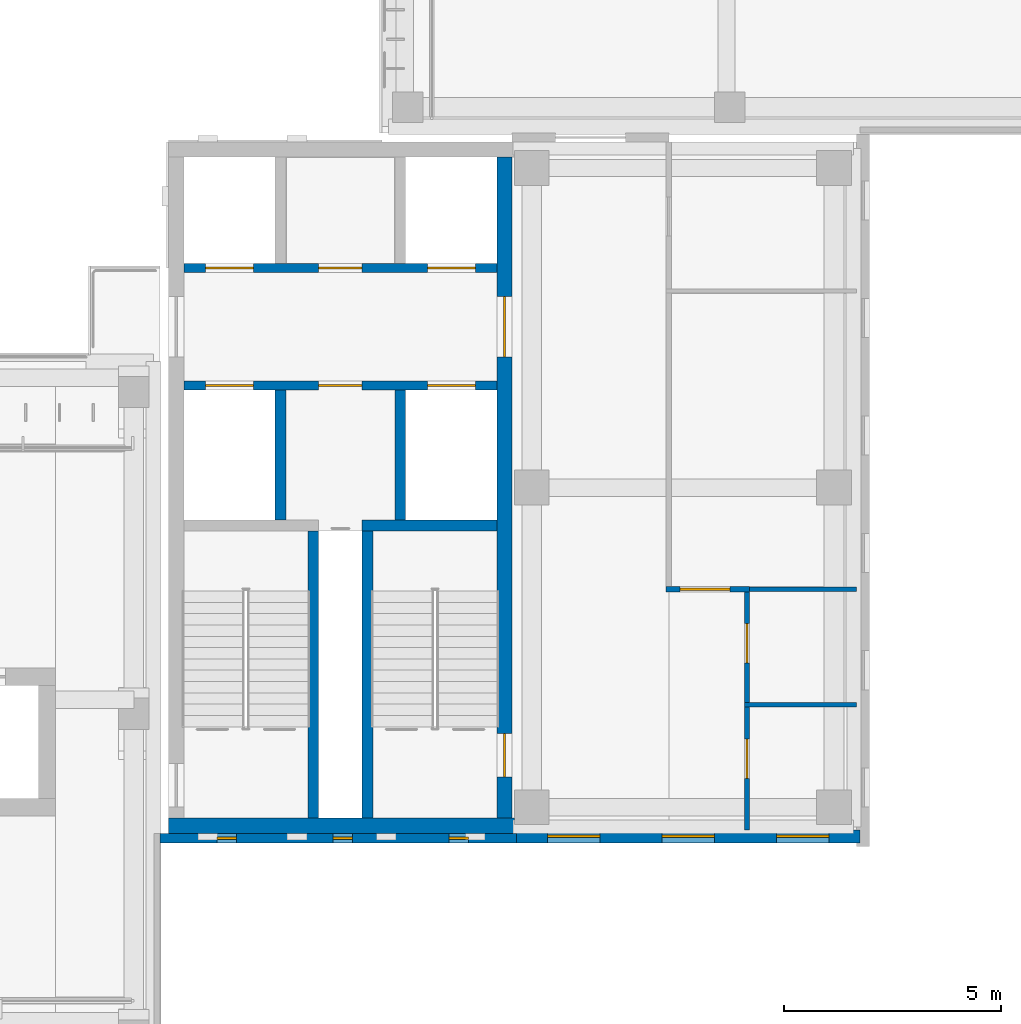
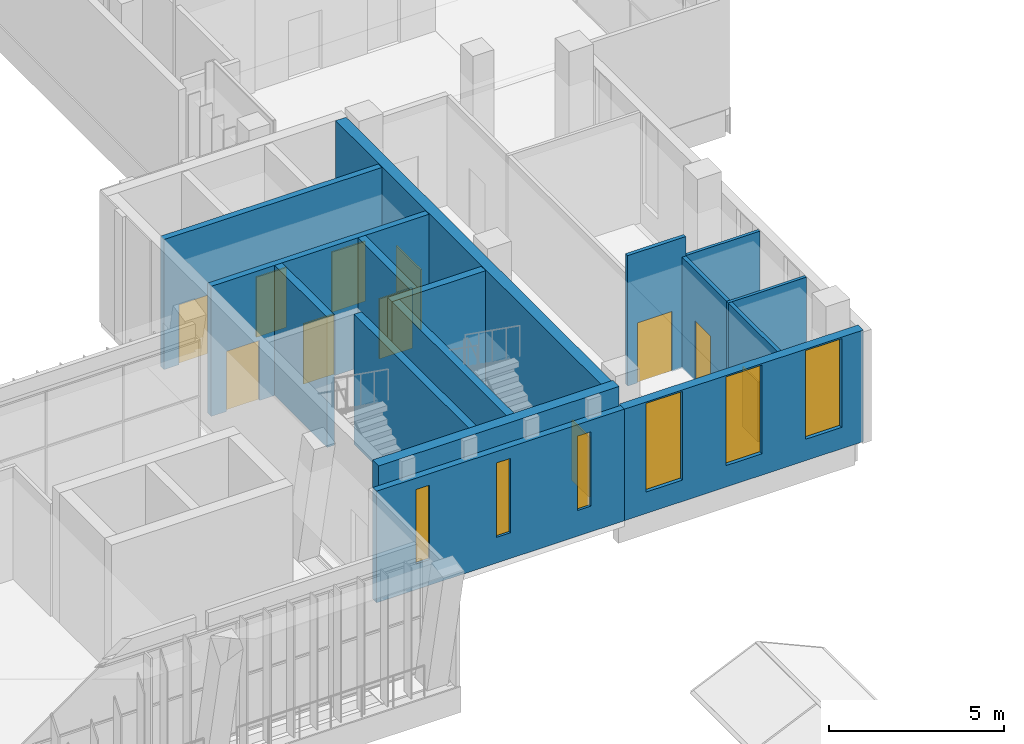
# One storey, part 44 of 73: 15 walls, 11 doors, 6 windows, 17 openings.
"""IFC4 building model written with IfcOpenShell, lengths in metres."""

from ifc_helpers import new_model, si_unit, direction, frame, frame_2d, origin, place, context, subcontext, project, spatial, rectangle, extrude, material, layer, layer_set, type_object, element, fill, save


model = new_model("IFC4")

# Units and contexts
model_context = context("Model", 3, precision=1e-05, world=origin(), true_north=direction((0.0, 1.0)))
body_context = subcontext(model_context, "Body", "Model", "MODEL_VIEW")
ifc_project = project(units=[si_unit("LENGTHUNIT", "METRE"), si_unit("AREAUNIT", "SQUARE_METRE"), si_unit("VOLUMEUNIT", "CUBIC_METRE"), si_unit("PLANEANGLEUNIT", "RADIAN"), si_unit("MASSUNIT", "GRAM", prefix="KILO")], contexts=[model_context])

# Site, building, storey
site_placement = place(None, origin())
site = spatial("IfcSite", under=ifc_project, at=site_placement, CompositionType="ELEMENT")
building_placement = place(site_placement, origin())
building = spatial("IfcBuilding", under=site, at=building_placement, Name="Lantern Court Media Centre", CompositionType="ELEMENT")
storey_placement = place(building_placement, frame((0.0, 0.0, 24.0)))
storey = spatial("IfcBuildingStorey", under=building, at=storey_placement, Name="L05", CompositionType="ELEMENT", Elevation=24.0)

# Wall, opening, door
ifc_material_1 = material(Name="Gypsum board partition")
ifc_layer_1 = layer(ifc_material_1, 0.125)
ifc_layer_set_1 = layer_set([ifc_layer_1], Name="Gypsum board partition")
wall_type_1 = type_object("IfcWallType", Name="Corridor partition 125", PredefinedType="PARTITIONING", material=ifc_layer_set_1)
wall_1_placement = place(storey_placement, frame((91.53759765625, 53.614013671875, 0.0), z_axis=(0.0, 0.0, 1.0), x_axis=(1.0, 0.0, 0.0)))
wall_1 = element("IfcWall", 1, at=wall_1_placement, inside=storey, type_object=wall_type_1, Name="L05 partition 035", PredefinedType="PARTITIONING", context=body_context, shape_type="SweptSolid", body=[
    extrude(rectangle(XDim=1.9248046875, YDim=0.125, at=frame_2d((0.96240234375, 0.0))), origin(), (0.0, 0.0, 1.0), 4.56005859375),
])
opening_1_placement = place(wall_1_placement, frame((0.321533203125, 0.0, 0.0)))
opening_1 = element("IfcOpeningElement", 2, at=opening_1_placement, cuts=wall_1, Name="Opening L05-019", PredefinedType="OPENING", context=body_context, shape_type="SweptSolid", body=[
    extrude(rectangle(XDim=1.14990234375, YDim=2.10009765625, at=frame_2d((0.574951171875, 1.050048828125))), frame((0.0, 0.072509765625, 0.0), z_axis=(0.0, -1.0, 0.0), x_axis=(1.0, 0.0, 0.0)), (0.0, 0.0, 1.0), 0.14501953125),
])
ifc_material_2 = material(Name="Solid-core timber door leaf", Category="wood")
door_type_1 = type_object("IfcDoorType", Name="Single door 1150x2100", OperationType="NOTDEFINED", PredefinedType="DOOR", material=ifc_material_2)
door_1_placement = place(opening_1_placement, origin())
door_1 = element("IfcDoor", 3, at=door_1_placement, inside=storey, type_object=door_type_1, Name="L05 Exhibition Gallery door", OperationType="SINGLE_SWING_RIGHT", OverallHeight=2.10009765625, OverallWidth=1.14990234375, PredefinedType="DOOR", context=body_context, shape_type="SweptSolid", body=[
    extrude(rectangle(XDim=1.14990234375, YDim=2.10009765625, at=frame_2d((0.574951171875, 1.050048828125))), frame((0.0, 0.02490234375, 0.0), z_axis=(0.0, -1.0, 0.0), x_axis=(1.0, 0.0, 0.0)), (0.0, 0.0, 1.0), 0.050048828125),
])
fill(opening_1, door_1)

# Wall, openings, doors
wall_2_placement = place(storey_placement, frame((93.39990234375, 48.080078125, 0.0), z_axis=(0.0, 0.0, 1.0), x_axis=(0.0, 1.0, 0.0)))
wall_2 = element("IfcWall", 4, at=wall_2_placement, inside=storey, type_object=wall_type_1, Name="L05 partition 038", PredefinedType="PARTITIONING", context=body_context, shape_type="SweptSolid", body=[
    extrude(rectangle(XDim=5.4716796875, YDim=0.125, at=frame_2d((2.73583984375, 0.0))), origin(), (0.0, 0.0, 1.0), 3.8798828125),
])
opening_2_placement = place(wall_2_placement, frame((1.183837890625, 0.0, 0.0)))
opening_2 = element("IfcOpeningElement", 5, at=opening_2_placement, cuts=wall_2, Name="Opening L05-021", PredefinedType="OPENING", context=body_context, shape_type="SweptSolid", body=[
    extrude(rectangle(XDim=0.89990234375, YDim=2.10009765625, at=frame_2d((0.449951171875, 1.050048828125))), frame((0.0, 0.072509765625, 0.0), z_axis=(0.0, -1.0, 0.0), x_axis=(1.0, 0.0, 0.0)), (0.0, 0.0, 1.0), 0.14501953125),
])
opening_3_placement = place(wall_2_placement, frame((3.8408203125, 0.0, 0.0)))
opening_3 = element("IfcOpeningElement", 6, at=opening_3_placement, cuts=wall_2, Name="Opening L05-022", PredefinedType="OPENING", context=body_context, shape_type="SweptSolid", body=[
    extrude(rectangle(XDim=0.89990234375, YDim=2.10009765625, at=frame_2d((0.449951171875, 1.050048828125))), frame((0.0, 0.072509765625, 0.0), z_axis=(0.0, -1.0, 0.0), x_axis=(1.0, 0.0, 0.0)), (0.0, 0.0, 1.0), 0.14501953125),
])
door_type_2 = type_object("IfcDoorType", Name="Single door 900x2100", OperationType="NOTDEFINED", PredefinedType="DOOR", material=ifc_material_2)
door_2_placement = place(opening_2_placement, frame((0.89990234375, 0.0, 0.0), z_axis=(0.0, 0.0, 1.0), x_axis=(-1.0, 0.0, 0.0)))
door_2 = element("IfcDoor", 7, at=door_2_placement, inside=storey, type_object=door_type_2, Name="L05 WC Male door", OperationType="SINGLE_SWING_RIGHT", OverallHeight=2.10009765625, OverallWidth=0.89990234375, PredefinedType="DOOR", context=body_context, shape_type="SweptSolid", body=[
    extrude(rectangle(XDim=0.89990234375, YDim=2.10009765625, at=frame_2d((0.449951171875, 1.050048828125))), frame((0.0, 0.02490234375, 0.0), z_axis=(0.0, -1.0, 0.0), x_axis=(1.0, 0.0, 0.0)), (0.0, 0.0, 1.0), 0.050048828125),
])
fill(opening_2, door_2)
door_3_placement = place(opening_3_placement, frame((0.89990234375, 0.0, 0.0), z_axis=(0.0, 0.0, 1.0), x_axis=(-1.0, 0.0, 0.0)))
door_3 = element("IfcDoor", 8, at=door_3_placement, inside=storey, type_object=door_type_2, Name="L05 WC Female door", OperationType="SINGLE_SWING_LEFT", OverallHeight=2.10009765625, OverallWidth=0.89990234375, PredefinedType="DOOR", context=body_context, shape_type="SweptSolid", body=[
    extrude(rectangle(XDim=0.89990234375, YDim=2.10009765625, at=frame_2d((0.449951171875, 1.050048828125))), frame((0.0, 0.02490234375, 0.0), z_axis=(0.0, -1.0, 0.0), x_axis=(1.0, 0.0, 0.0)), (0.0, 0.0, 1.0), 0.050048828125),
])
fill(opening_3, door_3)

ifc_material_3 = material(Name="Concrete C40", Category="concrete")
ifc_layer_2 = layer(ifc_material_3, 0.199951171875)
ifc_layer_set_2 = layer_set([ifc_layer_2], Name="Concrete C40")
wall_type_2 = type_object("IfcWallType", Name="Fire lobby wall 200", PredefinedType="SOLIDWALL", material=ifc_layer_set_2)
wall_3_placement = place(storey_placement, frame((87.64990234375, 58.300048828125, 0.0), z_axis=(0.0, 0.0, 1.0), x_axis=(-1.0, 0.0, 0.0)))
wall_3 = element("IfcWall", 9, at=wall_3_placement, inside=storey, type_object=wall_type_2, Name="L05 SE FW1", PredefinedType="SOLIDWALL", context=body_context, shape_type="SweptSolid", body=[
    extrude(rectangle(XDim=7.199951171875, YDim=0.199951171875, at=frame_2d((3.60009765625, 0.0))), origin(), (0.0, 0.0, 1.0), 4.550048828125),
])
opening_4_placement = place(wall_3_placement, frame((0.5, 0.0, 0.0)))
opening_4 = element("IfcOpeningElement", 10, at=opening_4_placement, cuts=wall_3, Name="Opening LD-SEFF-L05", PredefinedType="OPENING", context=body_context, shape_type="SweptSolid", body=[
    extrude(rectangle(XDim=1.10009765625, YDim=2.10009765625, at=frame_2d((0.550048828125, 1.050048828125))), frame((0.0, 0.10986328125, 0.0), z_axis=(0.0, -1.0, 0.0), x_axis=(1.0, 0.0, 0.0)), (0.0, 0.0, 1.0), 0.219970703125),
])
opening_5_placement = place(wall_3_placement, frame((5.60009765625, 0.0, 0.0)))
opening_5 = element("IfcOpeningElement", 11, at=opening_5_placement, cuts=wall_3, Name="Opening LD-SEP1-L05", PredefinedType="OPENING", context=body_context, shape_type="SweptSolid", body=[
    extrude(rectangle(XDim=1.10009765625, YDim=2.10009765625, at=frame_2d((0.550048828125, 1.050048828125))), frame((0.0, 0.10986328125, 0.0), z_axis=(0.0, -1.0, 0.0), x_axis=(1.0, 0.0, 0.0)), (0.0, 0.0, 1.0), 0.219970703125),
])
opening_6_placement = place(wall_3_placement, frame((3.10009765625, 0.0, 0.0)))
opening_6 = element("IfcOpeningElement", 12, at=opening_6_placement, cuts=wall_3, Name="Opening SE-L05-03", PredefinedType="OPENING", context=body_context, shape_type="SweptSolid", body=[
    extrude(rectangle(XDim=1.0, YDim=2.10009765625, at=frame_2d((0.5, 1.050048828125))), frame((0.0, 0.10986328125, 0.0), z_axis=(0.0, -1.0, 0.0), x_axis=(1.0, 0.0, 0.0)), (0.0, 0.0, 1.0), 0.219970703125),
])
ifc_material_4 = material(Name="Steel door leaf", Category="steel")
door_type_3 = type_object("IfcDoorType", Name="Lift landing door 1100x2100", OperationType="DOUBLE_DOOR_SLIDING", PredefinedType="DOOR", material=ifc_material_4)
door_4_placement = place(opening_4_placement, frame((1.10009765625, 0.0, 0.0), z_axis=(0.0, 0.0, 1.0), x_axis=(-1.0, 0.0, 0.0)))
door_4 = element("IfcDoor", 13, at=door_4_placement, inside=storey, type_object=door_type_3, Name="L05 SE lift FF landing door", OperationType="DOUBLE_DOOR_SLIDING", OverallHeight=2.10009765625, OverallWidth=1.10009765625, PredefinedType="DOOR", context=body_context, shape_type="SweptSolid", body=[
    extrude(rectangle(XDim=1.10009765625, YDim=2.10009765625, at=frame_2d((0.550048828125, 1.050048828125))), frame((0.0, 0.02490234375, 0.0), z_axis=(0.0, -1.0, 0.0), x_axis=(1.0, 0.0, 0.0)), (0.0, 0.0, 1.0), 0.050048828125),
])
fill(opening_4, door_4)
door_5_placement = place(opening_5_placement, frame((1.10009765625, 0.0, 0.0), z_axis=(0.0, 0.0, 1.0), x_axis=(-1.0, 0.0, 0.0)))
door_5 = element("IfcDoor", 14, at=door_5_placement, inside=storey, type_object=door_type_3, Name="L05 SE lift P1 landing door", OperationType="DOUBLE_DOOR_SLIDING", OverallHeight=2.10009765625, OverallWidth=1.10009765625, PredefinedType="DOOR", context=body_context, shape_type="SweptSolid", body=[
    extrude(rectangle(XDim=1.10009765625, YDim=2.10009765625, at=frame_2d((0.550048828125, 1.050048828125))), frame((0.0, 0.02490234375, 0.0), z_axis=(0.0, -1.0, 0.0), x_axis=(1.0, 0.0, 0.0)), (0.0, 0.0, 1.0), 0.050048828125),
])
fill(opening_5, door_5)
door_type_4 = type_object("IfcDoorType", Name="Service door 1000x2100", OperationType="NOTDEFINED", PredefinedType="DOOR", material=ifc_material_4)
door_6_placement = place(opening_6_placement, frame((1.0, 0.0, 0.0), z_axis=(0.0, 0.0, 1.0), x_axis=(-1.0, 0.0, 0.0)))
door_6 = element("IfcDoor", 15, at=door_6_placement, inside=storey, type_object=door_type_4, Name="L05 SE services riser door", OperationType="SINGLE_SWING_LEFT", OverallHeight=2.10009765625, OverallWidth=1.0, PredefinedType="DOOR", context=body_context, shape_type="SweptSolid", body=[
    extrude(rectangle(XDim=1.0, YDim=2.10009765625, at=frame_2d((0.5, 1.050048828125))), frame((0.0, 0.02490234375, 0.0), z_axis=(0.0, -1.0, 0.0), x_axis=(1.0, 0.0, 0.0)), (0.0, 0.0, 1.0), 0.050048828125),
])
fill(opening_6, door_6)

wall_4_placement = place(storey_placement, frame((87.64990234375, 61.0, 0.0), z_axis=(0.0, 0.0, 1.0), x_axis=(-1.0, 0.0, 0.0)))
wall_4 = element("IfcWall", 16, at=wall_4_placement, inside=storey, type_object=wall_type_2, Name="L05 SE FW2", PredefinedType="SOLIDWALL", context=body_context, shape_type="SweptSolid", body=[
    extrude(rectangle(XDim=7.199951171875, YDim=0.199951171875, at=frame_2d((3.60009765625, 0.0))), origin(), (0.0, 0.0, 1.0), 4.550048828125),
])
opening_7_placement = place(wall_4_placement, frame((0.5, 0.0, 0.0)))
opening_7 = element("IfcOpeningElement", 17, at=opening_7_placement, cuts=wall_4, Name="Opening LD-SEP2-L05", PredefinedType="OPENING", context=body_context, shape_type="SweptSolid", body=[
    extrude(rectangle(XDim=1.10009765625, YDim=2.10009765625, at=frame_2d((0.550048828125, 1.050048828125))), frame((0.0, 0.10986328125, 0.0), z_axis=(0.0, -1.0, 0.0), x_axis=(1.0, 0.0, 0.0)), (0.0, 0.0, 1.0), 0.219970703125),
])
opening_8_placement = place(wall_4_placement, frame((5.60009765625, 0.0, 0.0)))
opening_8 = element("IfcOpeningElement", 18, at=opening_8_placement, cuts=wall_4, Name="Opening LD-SEP3-L05", PredefinedType="OPENING", context=body_context, shape_type="SweptSolid", body=[
    extrude(rectangle(XDim=1.10009765625, YDim=2.10009765625, at=frame_2d((0.550048828125, 1.050048828125))), frame((0.0, 0.10986328125, 0.0), z_axis=(0.0, -1.0, 0.0), x_axis=(1.0, 0.0, 0.0)), (0.0, 0.0, 1.0), 0.219970703125),
])
opening_9_placement = place(wall_4_placement, frame((3.10009765625, 0.0, 0.0)))
opening_9 = element("IfcOpeningElement", 19, at=opening_9_placement, cuts=wall_4, Name="Opening SE-L05-04", PredefinedType="OPENING", context=body_context, shape_type="SweptSolid", body=[
    extrude(rectangle(XDim=1.0, YDim=2.10009765625, at=frame_2d((0.5, 1.050048828125))), frame((0.0, 0.10986328125, 0.0), z_axis=(0.0, -1.0, 0.0), x_axis=(1.0, 0.0, 0.0)), (0.0, 0.0, 1.0), 0.219970703125),
])
door_7_placement = place(opening_7_placement, origin())
door_7 = element("IfcDoor", 20, at=door_7_placement, inside=storey, type_object=door_type_3, Name="L05 SE lift P2 landing door", OperationType="DOUBLE_DOOR_SLIDING", OverallHeight=2.10009765625, OverallWidth=1.10009765625, PredefinedType="DOOR", context=body_context, shape_type="SweptSolid", body=[
    extrude(rectangle(XDim=1.10009765625, YDim=2.10009765625, at=frame_2d((0.550048828125, 1.050048828125))), frame((0.0, 0.02490234375, 0.0), z_axis=(0.0, -1.0, 0.0), x_axis=(1.0, 0.0, 0.0)), (0.0, 0.0, 1.0), 0.050048828125),
])
fill(opening_7, door_7)
door_8_placement = place(opening_8_placement, origin())
door_8 = element("IfcDoor", 21, at=door_8_placement, inside=storey, type_object=door_type_3, Name="L05 SE lift P3 landing door", OperationType="DOUBLE_DOOR_SLIDING", OverallHeight=2.10009765625, OverallWidth=1.10009765625, PredefinedType="DOOR", context=body_context, shape_type="SweptSolid", body=[
    extrude(rectangle(XDim=1.10009765625, YDim=2.10009765625, at=frame_2d((0.550048828125, 1.050048828125))), frame((0.0, 0.02490234375, 0.0), z_axis=(0.0, -1.0, 0.0), x_axis=(1.0, 0.0, 0.0)), (0.0, 0.0, 1.0), 0.050048828125),
])
fill(opening_8, door_8)
door_9_placement = place(opening_9_placement, origin())
door_9 = element("IfcDoor", 22, at=door_9_placement, inside=storey, type_object=door_type_4, Name="L05 SE accessible WC door", OperationType="SINGLE_SWING_RIGHT", OverallHeight=2.10009765625, OverallWidth=1.0, PredefinedType="DOOR", context=body_context, shape_type="SweptSolid", body=[
    extrude(rectangle(XDim=1.0, YDim=2.10009765625, at=frame_2d((0.5, 1.050048828125))), frame((0.0, 0.02490234375, 0.0), z_axis=(0.0, -1.0, 0.0), x_axis=(1.0, 0.0, 0.0)), (0.0, 0.0, 1.0), 0.050048828125),
])
fill(opening_9, door_9)

# Wall, openings, windows
ifc_material_5 = material(Name="Honed limestone cladding on blockwork", Category="masonry")
ifc_layer_3 = layer(ifc_material_5, 0.300048828125)
ifc_layer_set_3 = layer_set([ifc_layer_3], Name="Honed limestone cladding on blockwork")
wall_type_3 = type_object("IfcWallType", Name="Limestone block wall 300", PredefinedType="SOLIDWALL", material=ifc_layer_set_3)
wall_5_placement = place(storey_placement, frame((88.10009765625, 47.929931640625, 0.0), z_axis=(0.0, 0.0, 1.0), x_axis=(1.0, 0.0, 0.0)))
wall_5 = element("IfcWall", 23, at=wall_5_placement, inside=storey, type_object=wall_type_3, Name="Limestone wall SE S L05", PredefinedType="SOLIDWALL", context=body_context, shape_type="SweptSolid", body=[
    extrude(rectangle(XDim=7.89990234375, YDim=0.300048828125, at=frame_2d((3.949951171875, 0.0))), origin(), (0.0, 0.0, 1.0), 3.89990234375),
])
opening_10_placement = place(wall_5_placement, frame((0.716552734375, 0.0, 0.75)))
opening_10 = element("IfcOpeningElement", 24, at=opening_10_placement, cuts=wall_5, Name="Opening WN-T", PredefinedType="OPENING", context=body_context, shape_type="SweptSolid", body=[
    extrude(rectangle(XDim=1.199951171875, YDim=3.10009765625, at=frame_2d((0.60009765625, 1.550048828125))), frame((0.0, 0.159912109375, 0.0), z_axis=(0.0, -1.0, 0.0), x_axis=(1.0, 0.0, 0.0)), (0.0, 0.0, 1.0), 0.320068359375),
])
opening_11_placement = place(wall_5_placement, frame((3.35009765625, 0.0, 0.75)))
opening_11 = element("IfcOpeningElement", 25, at=opening_11_placement, cuts=wall_5, Name="Opening WN-T", PredefinedType="OPENING", context=body_context, shape_type="SweptSolid", body=[
    extrude(rectangle(XDim=1.199951171875, YDim=3.10009765625, at=frame_2d((0.60009765625, 1.550048828125))), frame((0.0, 0.159912109375, 0.0), z_axis=(0.0, -1.0, 0.0), x_axis=(1.0, 0.0, 0.0)), (0.0, 0.0, 1.0), 0.320068359375),
])
opening_12_placement = place(wall_5_placement, frame((5.9833984375, 0.0, 0.75)))
opening_12 = element("IfcOpeningElement", 26, at=opening_12_placement, cuts=wall_5, Name="Opening WN-T", PredefinedType="OPENING", context=body_context, shape_type="SweptSolid", body=[
    extrude(rectangle(XDim=1.199951171875, YDim=3.10009765625, at=frame_2d((0.60009765625, 1.550048828125))), frame((0.0, 0.159912109375, 0.0), z_axis=(0.0, -1.0, 0.0), x_axis=(1.0, 0.0, 0.0)), (0.0, 0.0, 1.0), 0.320068359375),
])
ifc_material_6 = material(Name="Anodised aluminium and glass", Category="aluminium")
window_type_1 = type_object("IfcWindowType", Name="Tall window 1200x3100", PartitioningType="SINGLE_PANEL", PredefinedType="WINDOW", material=ifc_material_6)
window_1_placement = place(opening_10_placement, origin())
window_1 = element("IfcWindow", 27, at=window_1_placement, inside=storey, type_object=window_type_1, Name="Window SE S L05", OverallHeight=3.10009765625, OverallWidth=1.199951171875, PartitioningType="SINGLE_PANEL", PredefinedType="WINDOW", context=body_context, shape_type="SweptSolid", body=[
    extrude(rectangle(XDim=1.199951171875, YDim=3.10009765625, at=frame_2d((0.60009765625, 1.550048828125))), frame((0.0, 0.030029296875, 0.0), z_axis=(0.0, -1.0, 0.0), x_axis=(1.0, 0.0, 0.0)), (0.0, 0.0, 1.0), 0.06005859375),
])
fill(opening_10, window_1)
window_2_placement = place(opening_11_placement, origin())
window_2 = element("IfcWindow", 28, at=window_2_placement, inside=storey, type_object=window_type_1, Name="Window SE S L05", OverallHeight=3.10009765625, OverallWidth=1.199951171875, PartitioningType="SINGLE_PANEL", PredefinedType="WINDOW", context=body_context, shape_type="SweptSolid", body=[
    extrude(rectangle(XDim=1.199951171875, YDim=3.10009765625, at=frame_2d((0.60009765625, 1.550048828125))), frame((0.0, 0.030029296875, 0.0), z_axis=(0.0, -1.0, 0.0), x_axis=(1.0, 0.0, 0.0)), (0.0, 0.0, 1.0), 0.06005859375),
])
fill(opening_11, window_2)
window_3_placement = place(opening_12_placement, origin())
window_3 = element("IfcWindow", 29, at=window_3_placement, inside=storey, type_object=window_type_1, Name="Window SE S L05", OverallHeight=3.10009765625, OverallWidth=1.199951171875, PartitioningType="SINGLE_PANEL", PredefinedType="WINDOW", context=body_context, shape_type="SweptSolid", body=[
    extrude(rectangle(XDim=1.199951171875, YDim=3.10009765625, at=frame_2d((0.60009765625, 1.550048828125))), frame((0.0, 0.030029296875, 0.0), z_axis=(0.0, -1.0, 0.0), x_axis=(1.0, 0.0, 0.0)), (0.0, 0.0, 1.0), 0.06005859375),
])
fill(opening_12, window_3)

ifc_material_7 = material(Name="Honed limestone cladding on blockwork, reduced to 220 where it passes the core wall", Category="masonry")
ifc_layer_4 = layer(ifc_material_7, 0.219970703125)
ifc_layer_set_4 = layer_set([ifc_layer_4], Name="Honed limestone cladding on blockwork, reduced to 220 where it passes the core wall")
wall_type_4 = type_object("IfcWallType", Name="Limestone skin wall 220", PredefinedType="SOLIDWALL", material=ifc_layer_set_4)
wall_6_placement = place(storey_placement, frame((79.89990234375, 47.889892578125, 0.0), z_axis=(0.0, 0.0, 1.0), x_axis=(1.0, 0.0, 0.0)))
wall_6 = element("IfcWall", 30, at=wall_6_placement, inside=storey, type_object=wall_type_4, Name="Limestone wall SE S L05", PredefinedType="SOLIDWALL", context=body_context, shape_type="SweptSolid", body=[
    extrude(rectangle(XDim=8.2001953125, YDim=0.219970703125, at=frame_2d((4.10009765625, 0.0))), origin(), (0.0, 0.0, 1.0), 3.89990234375),
])
opening_13_placement = place(wall_6_placement, frame((1.308349609375, 0.0, 0.89990234375)))
opening_13 = element("IfcOpeningElement", 31, at=opening_13_placement, cuts=wall_6, Name="Opening WN-S", PredefinedType="OPENING", context=body_context, shape_type="SweptSolid", body=[
    extrude(rectangle(XDim=0.449951171875, YDim=2.60009765625, at=frame_2d((0.22509765625, 1.300048828125))), frame((0.0, 0.119873046875, 0.0), z_axis=(0.0, -1.0, 0.0), x_axis=(1.0, 0.0, 0.0)), (0.0, 0.0, 1.0), 0.239990234375),
])
opening_14_placement = place(wall_6_placement, frame((3.97509765625, 0.0, 0.89990234375)))
opening_14 = element("IfcOpeningElement", 32, at=opening_14_placement, cuts=wall_6, Name="Opening WN-S", PredefinedType="OPENING", context=body_context, shape_type="SweptSolid", body=[
    extrude(rectangle(XDim=0.449951171875, YDim=2.60009765625, at=frame_2d((0.22509765625, 1.300048828125))), frame((0.0, 0.119873046875, 0.0), z_axis=(0.0, -1.0, 0.0), x_axis=(1.0, 0.0, 0.0)), (0.0, 0.0, 1.0), 0.239990234375),
])
opening_15_placement = place(wall_6_placement, frame((6.6416015625, 0.0, 0.89990234375)))
opening_15 = element("IfcOpeningElement", 33, at=opening_15_placement, cuts=wall_6, Name="Opening WN-S", PredefinedType="OPENING", context=body_context, shape_type="SweptSolid", body=[
    extrude(rectangle(XDim=0.449951171875, YDim=2.60009765625, at=frame_2d((0.22509765625, 1.300048828125))), frame((0.0, 0.119873046875, 0.0), z_axis=(0.0, -1.0, 0.0), x_axis=(1.0, 0.0, 0.0)), (0.0, 0.0, 1.0), 0.239990234375),
])
window_type_2 = type_object("IfcWindowType", Name="Stair slit window 450x2600", PartitioningType="SINGLE_PANEL", PredefinedType="WINDOW", material=ifc_material_6)
window_4_placement = place(opening_13_placement, origin())
window_4 = element("IfcWindow", 34, at=window_4_placement, inside=storey, type_object=window_type_2, Name="Window SE S L05", OverallHeight=2.60009765625, OverallWidth=0.449951171875, PartitioningType="SINGLE_PANEL", PredefinedType="WINDOW", context=body_context, shape_type="SweptSolid", body=[
    extrude(rectangle(XDim=0.449951171875, YDim=2.60009765625, at=frame_2d((0.22509765625, 1.300048828125))), frame((0.0, 0.030029296875, 0.0), z_axis=(0.0, -1.0, 0.0), x_axis=(1.0, 0.0, 0.0)), (0.0, 0.0, 1.0), 0.06005859375),
])
fill(opening_13, window_4)
window_5_placement = place(opening_14_placement, origin())
window_5 = element("IfcWindow", 35, at=window_5_placement, inside=storey, type_object=window_type_2, Name="Window SE S L05", OverallHeight=2.60009765625, OverallWidth=0.449951171875, PartitioningType="SINGLE_PANEL", PredefinedType="WINDOW", context=body_context, shape_type="SweptSolid", body=[
    extrude(rectangle(XDim=0.449951171875, YDim=2.60009765625, at=frame_2d((0.22509765625, 1.300048828125))), frame((0.0, 0.030029296875, 0.0), z_axis=(0.0, -1.0, 0.0), x_axis=(1.0, 0.0, 0.0)), (0.0, 0.0, 1.0), 0.06005859375),
])
fill(opening_14, window_5)
window_6_placement = place(opening_15_placement, origin())
window_6 = element("IfcWindow", 36, at=window_6_placement, inside=storey, type_object=window_type_2, Name="Window SE S L05", OverallHeight=2.60009765625, OverallWidth=0.449951171875, PartitioningType="SINGLE_PANEL", PredefinedType="WINDOW", context=body_context, shape_type="SweptSolid", body=[
    extrude(rectangle(XDim=0.449951171875, YDim=2.60009765625, at=frame_2d((0.22509765625, 1.300048828125))), frame((0.0, 0.030029296875, 0.0), z_axis=(0.0, -1.0, 0.0), x_axis=(1.0, 0.0, 0.0)), (0.0, 0.0, 1.0), 0.06005859375),
])
fill(opening_15, window_6)

# Walls
ifc_layer_5 = layer(ifc_material_1, 0.10009765625)
ifc_layer_set_5 = layer_set([ifc_layer_5], Name="Gypsum board partition")
wall_type_5 = type_object("IfcWallType", Name="Partition 100", PredefinedType="PARTITIONING", material=ifc_layer_set_5)
for number, where, z_axis, x_axis, name in (
    (37, (93.33740234375, 53.614013671875, 0.0), (0.0, 0.0, 1.0), (1.0, 0.0, 0.0), "L05 partition 036"),
    (38, (93.33740234375, 50.95703125, 0.0), (0.0, 0.0, 1.0), (1.0, 0.0, 0.0), "L05 partition 040"),
):
    element("IfcWall", number, at=place(storey_placement, frame(where, z_axis=z_axis, x_axis=x_axis)), inside=storey, type_object=wall_type_5, Name=name, PredefinedType="PARTITIONING", context=body_context, shape_type="SweptSolid", body=[
        extrude(rectangle(XDim=2.58251953125, YDim=0.10009765625, at=frame_2d((1.291259765625, 0.0))), origin(), (0.0, 0.0, 1.0), 3.8798828125),
    ])
ifc_layer_6 = layer(ifc_material_3, 0.35009765625)
ifc_layer_set_6 = layer_set([ifc_layer_6], Name="Concrete C40")
wall_type_6 = type_object("IfcWallType", Name="RC CORE WALL 350", PredefinedType="SHEAR", material=ifc_layer_set_6)
wall_7_placement = place(storey_placement, frame((80.10009765625, 48.175048828125, 0.0), z_axis=(0.0, 0.0, 1.0), x_axis=(1.0, 0.0, 0.0)))
element("IfcWall", 39, at=wall_7_placement, inside=storey, type_object=wall_type_6, Name="WC-SE-L05-S", PredefinedType="SHEAR", context=body_context, shape_type="SweptSolid", body=[
    extrude(rectangle(XDim=7.949951171875, YDim=0.35009765625, at=frame_2d((3.97509765625, 0.0))), origin(), (0.0, 0.0, 1.0), 4.580078125),
])

# Wall, openings, doors
wall_8_placement = place(storey_placement, frame((87.824951171875, 48.35009765625, 0.0), z_axis=(0.0, 0.0, 1.0), x_axis=(0.0, 1.0, 0.0)))
wall_8 = element("IfcWall", 40, at=wall_8_placement, inside=storey, type_object=wall_type_6, Name="WC-SE-L05-E", PredefinedType="SHEAR", context=body_context, shape_type="SweptSolid", body=[
    extrude(rectangle(XDim=15.199951171875, YDim=0.35009765625, at=frame_2d((7.60009765625, 0.0))), origin(), (0.0, 0.0, 1.0), 4.580078125),
])
opening_16_placement = place(wall_8_placement, frame((0.949951171875, 0.0, 0.0)))
opening_16 = element("IfcOpeningElement", 41, at=opening_16_placement, cuts=wall_8, Name="Opening SE-L05-01", PredefinedType="OPENING", context=body_context, shape_type="SweptSolid", body=[
    extrude(rectangle(XDim=1.0, YDim=2.10009765625, at=frame_2d((0.5, 1.050048828125))), frame((0.0, 0.18505859375, 0.0), z_axis=(0.0, -1.0, 0.0), x_axis=(1.0, 0.0, 0.0)), (0.0, 0.0, 1.0), 0.3701171875),
])
opening_17_placement = place(wall_8_placement, frame((10.60009765625, 0.0, 0.0)))
opening_17 = element("IfcOpeningElement", 42, at=opening_17_placement, cuts=wall_8, Name="Opening SE-L05-05", PredefinedType="OPENING", context=body_context, shape_type="SweptSolid", body=[
    extrude(rectangle(XDim=1.39990234375, YDim=2.10009765625, at=frame_2d((0.699951171875, 1.050048828125))), frame((0.0, 0.18505859375, 0.0), z_axis=(0.0, -1.0, 0.0), x_axis=(1.0, 0.0, 0.0)), (0.0, 0.0, 1.0), 0.3701171875),
])
door_type_5 = type_object("IfcDoorType", Name="Lift lobby double door 1400x2100", OperationType="NOTDEFINED", PredefinedType="DOOR", material=ifc_material_4)
door_10_placement = place(opening_17_placement, frame((1.39990234375, 0.0, 0.0), z_axis=(0.0, 0.0, 1.0), x_axis=(-1.0, 0.0, 0.0)))
door_10 = element("IfcDoor", 43, at=door_10_placement, inside=storey, type_object=door_type_5, Name="L05 SE lift lobby west door", OperationType="SINGLE_SWING_LEFT", OverallHeight=2.10009765625, OverallWidth=1.39990234375, PredefinedType="DOOR", context=body_context, shape_type="SweptSolid", body=[
    extrude(rectangle(XDim=1.39990234375, YDim=2.10009765625, at=frame_2d((0.699951171875, 1.050048828125))), frame((0.0, 0.02490234375, 0.0), z_axis=(0.0, -1.0, 0.0), x_axis=(1.0, 0.0, 0.0)), (0.0, 0.0, 1.0), 0.050048828125),
])
fill(opening_17, door_10)
door_type_6 = type_object("IfcDoorType", Name="Stair door 1000x2100", OperationType="NOTDEFINED", PredefinedType="DOOR", material=ifc_material_4)
door_11_placement = place(opening_16_placement, frame((1.0, 0.0, 0.0), z_axis=(0.0, 0.0, 1.0), x_axis=(-1.0, 0.0, 0.0)))
door_11 = element("IfcDoor", 44, at=door_11_placement, inside=storey, type_object=door_type_6, Name="L05 SE stair A door", OperationType="SINGLE_SWING_LEFT", OverallHeight=2.10009765625, OverallWidth=1.0, PredefinedType="DOOR", context=body_context, shape_type="SweptSolid", body=[
    extrude(rectangle(XDim=1.0, YDim=2.10009765625, at=frame_2d((0.5, 1.050048828125))), frame((0.0, 0.02490234375, 0.0), z_axis=(0.0, -1.0, 0.0), x_axis=(1.0, 0.0, 0.0)), (0.0, 0.0, 1.0), 0.050048828125),
])
fill(opening_16, door_11)

# Walls
ifc_layer_7 = layer(ifc_material_3, 0.25)
ifc_layer_set_7 = layer_set([ifc_layer_7], Name="Concrete C40")
wall_type_7 = type_object("IfcWallType", Name="RC lift shaft wall 250", PredefinedType="SOLIDWALL", material=ifc_layer_set_7)
for number, where, z_axis, x_axis, name in (
    (45, (85.425048828125, 55.199951171875, 0.0), (0.0, 0.0, 1.0), (0.0, 1.0, 0.0), "L05 SE L1a"),
    (46, (82.675048828125, 55.199951171875, 0.0), (0.0, 0.0, 1.0), (0.0, 1.0, 0.0), "L05 SE L2a"),
):
    element("IfcWall", number, at=place(storey_placement, frame(where, z_axis=z_axis, x_axis=x_axis)), inside=storey, type_object=wall_type_7, Name=name, PredefinedType="SOLIDWALL", context=body_context, shape_type="SweptSolid", body=[
        extrude(rectangle(XDim=3.0, YDim=0.25, at=frame_2d((1.5, 0.0))), origin(), (0.0, 0.0, 1.0), 4.550048828125),
    ])
ifc_layer_8 = layer(ifc_material_3, 0.25)
ifc_layer_set_8 = layer_set([ifc_layer_8], Name="Concrete C40")
wall_type_8 = type_object("IfcWallType", Name="RC stair shaft wall 250", PredefinedType="SOLIDWALL", material=ifc_layer_set_8)
for number, where, z_axis, x_axis, name in (
    (47, (84.675048828125, 48.35009765625, 0.0), (0.0, 0.0, 1.0), (0.0, 1.0, 0.0), "L05 SE SA"),
    (48, (83.425048828125, 48.35009765625, 0.0), (0.0, 0.0, 1.0), (0.0, 1.0, 0.0), "L05 SE SB"),
):
    element("IfcWall", number, at=place(storey_placement, frame(where, z_axis=z_axis, x_axis=x_axis)), inside=storey, type_object=wall_type_8, Name=name, PredefinedType="SOLIDWALL", context=body_context, shape_type="SweptSolid", body=[
        extrude(rectangle(XDim=6.599853515625, YDim=0.25, at=frame_2d((3.2998046875, 0.0))), origin(), (0.0, 0.0, 1.0), 4.550048828125),
    ])
wall_9_placement = place(storey_placement, frame((87.64990234375, 55.074951171875, 0.0), z_axis=(0.0, 0.0, 1.0), x_axis=(-1.0, 0.0, 0.0)))
element("IfcWall", 49, at=wall_9_placement, inside=storey, type_object=wall_type_8, Name="L05 SE SN1", PredefinedType="SOLIDWALL", context=body_context, shape_type="SweptSolid", body=[
    extrude(rectangle(XDim=3.099853515625, YDim=0.25, at=frame_2d((1.5498046875, 0.0))), origin(), (0.0, 0.0, 1.0), 4.550048828125),
])

save(model, "model.ifc")
